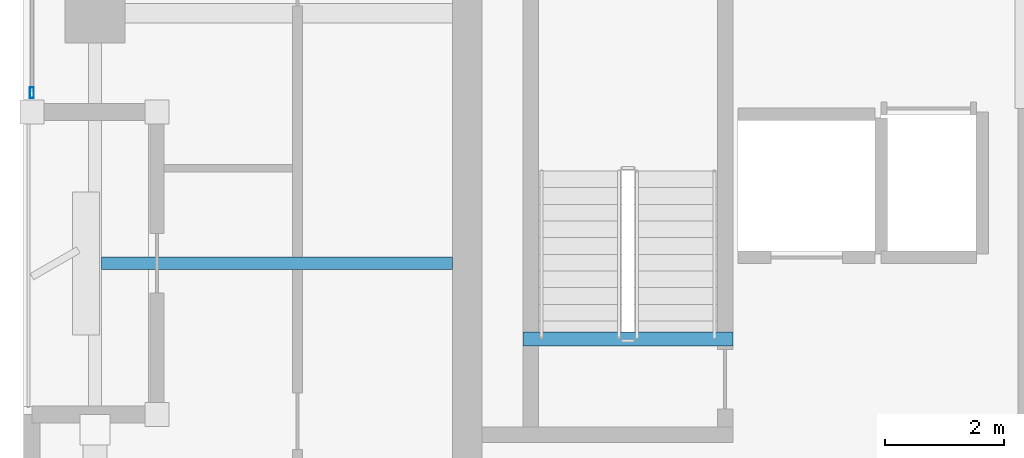
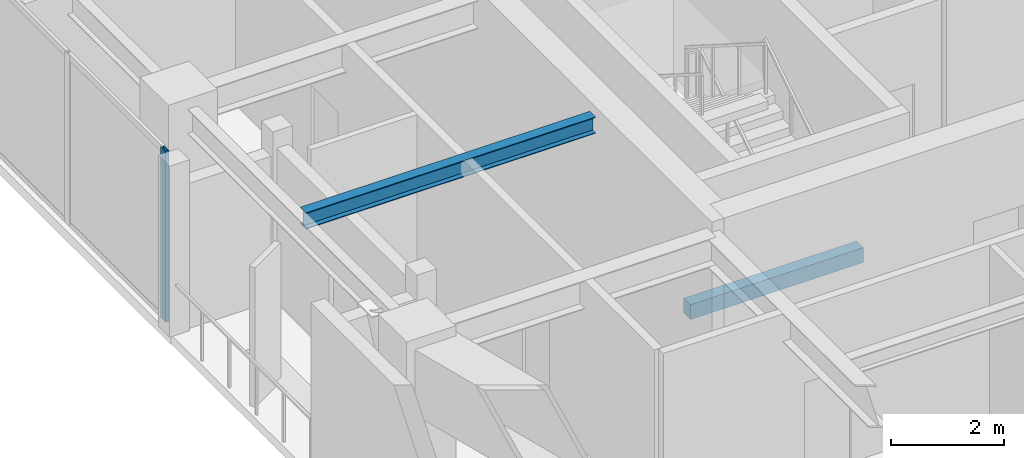
# One storey, part 2 of 15: 2 beams, 1 member, 1 element without a shape of its own.
"""IFC4 building model written with IfcOpenShell, lengths in metres."""

from ifc_helpers import new_model, si_unit, direction, frame, origin, origin_2d, place, context, subcontext, project, spatial, rectangle, hollow_rectangle, i_section, extrude, material, layer, layer_set, material_profile, profile_set, type_object, element, aggregate, save


model = new_model("IFC4")

# Units and contexts
model_context = context("Model", 3, precision=1e-05, world=origin(), true_north=direction((0.0, 1.0)))
body_context = subcontext(model_context, "Body", "Model", "MODEL_VIEW")
ifc_project = project(units=[si_unit("LENGTHUNIT", "METRE"), si_unit("AREAUNIT", "SQUARE_METRE"), si_unit("VOLUMEUNIT", "CUBIC_METRE"), si_unit("PLANEANGLEUNIT", "RADIAN"), si_unit("MASSUNIT", "GRAM", prefix="KILO")], contexts=[model_context])

# Site, building, storey
site_placement = place(None, origin())
site = spatial("IfcSite", under=ifc_project, at=site_placement, CompositionType="ELEMENT")
building_placement = place(site_placement, origin())
building = spatial("IfcBuilding", under=site, at=building_placement, Name="Kiyonajd Concourse Tower", CompositionType="ELEMENT")
storey_placement = place(building_placement, frame((0.0, 0.0, 266.699951171875)))
storey = spatial("IfcBuildingStorey", under=building, at=storey_placement, Name="L67", CompositionType="ELEMENT", Elevation=266.699951171875)

# Beams
ifc_material_1 = material(Name="Steel ASTM A992 Grade 50", Category="steel")
ifc_material_profile_1 = material_profile(ifc_material_1, i_section(OverallWidth=0.205078125, OverallDepth=0.35400390625, WebThickness=0.009521484375, FlangeThickness=0.016845703125, at=origin_2d()), Name="W360X79")
ifc_profile_set_1 = profile_set([ifc_material_profile_1], Name="Steel ASTM A992 Grade 50")
beam_type_1 = type_object("IfcBeamType", Name="BM-JST-360", PredefinedType="JOIST", material=ifc_profile_set_1)
beam_1_placement = place(storey_placement, frame((26.505615234375, 31.800048828125, 3.5029296875), z_axis=(1.0, 0.0, 0.0), x_axis=(0.0, 1.0, 0.0)))
element("IfcBeam", 1, at=beam_1_placement, inside=storey, type_object=beam_type_1, Name="L67 West Secondary Floor Joist", PredefinedType="JOIST", context=body_context, shape_type="SweptSolid", body=[
    extrude(i_section(OverallWidth=0.205078125, OverallDepth=0.35400390625, WebThickness=0.009521484375, FlangeThickness=0.016845703125, at=origin_2d()), origin(), (0.0, 0.0, 1.0), 5.894287109375),
])
ifc_material_2 = material(Name="Concrete C50/60", Category="concrete")
ifc_material_profile_2 = material_profile(ifc_material_2, rectangle(XDim=0.239990234375, YDim=0.320068359375, at=origin_2d()), Name="RCBM-240x320")
ifc_profile_set_2 = profile_set([ifc_material_profile_2], Name="Concrete C50/60")
beam_type_2 = type_object("IfcBeamType", Name="BM-LNT-250", PredefinedType="LINTEL", material=ifc_profile_set_2)
beam_2_placement = place(storey_placement, frame((33.590087890625, 30.530029296875, -0.159912109375), z_axis=(1.0, 0.0, 0.0), x_axis=(0.0, 1.0, 0.0)))
element("IfcBeam", 2, at=beam_2_placement, inside=storey, type_object=beam_type_2, Name="L67 Stair ST1 Threshold Support Beam", PredefinedType="LINTEL", context=body_context, shape_type="SweptSolid", body=[
    extrude(rectangle(XDim=0.239990234375, YDim=0.320068359375, at=origin_2d()), origin(), (0.0, 0.0, 1.0), 3.52001953125),
])

# Curtain wall, member
ifc_material_3 = material(Name="Thermally Broken Anodised Aluminium", Category="aluminium")
ifc_layer = layer(ifc_material_3, 0.179931640625)
ifc_layer_set = layer_set([ifc_layer], Name="Thermally Broken Anodised Aluminium")
curtain_wall_type = type_object("IfcCurtainWallType", Name="CW-SYS-04", PredefinedType="NOTDEFINED", material=ifc_layer_set)
curtain_wall_placement = place(storey_placement, origin())
curtain_wall = element("IfcCurtainWall", 3, at=curtain_wall_placement, inside=storey, type_object=curtain_wall_type, Name="L67 Unitised Curtain Wall CW4", PredefinedType="NOTDEFINED")
ifc_material_profile_3 = material_profile(ifc_material_3, hollow_rectangle(XDim=0.06494140625, YDim=0.179931640625, WallThickness=0.00390625, at=origin_2d()), Name="MULL-65x180")
ifc_profile_set_3 = profile_set([ifc_material_profile_3], Name="Thermally Broken Anodised Aluminium")
member_type = type_object("IfcMemberType", Name="MB-CW-MULL1", PredefinedType="MULLION", material=ifc_profile_set_3)
member_placement = place(storey_placement, frame((25.340087890625, 34.66259765625, 0.0), z_axis=(0.0, 0.0, 1.0), x_axis=(-1.0, 0.0, 0.0)))
member = element("IfcMember", 4, at=member_placement, type_object=member_type, Name="CW4 mullion 1", PredefinedType="MULLION", context=body_context, shape_type="SweptSolid", body=[
    extrude(hollow_rectangle(XDim=0.06494140625, YDim=0.179931640625, WallThickness=0.00390625, at=origin_2d()), origin(), (0.0, 0.0, 1.0), 3.679931640625),
])
aggregate(curtain_wall, [member])

save(model, "model.ifc")
